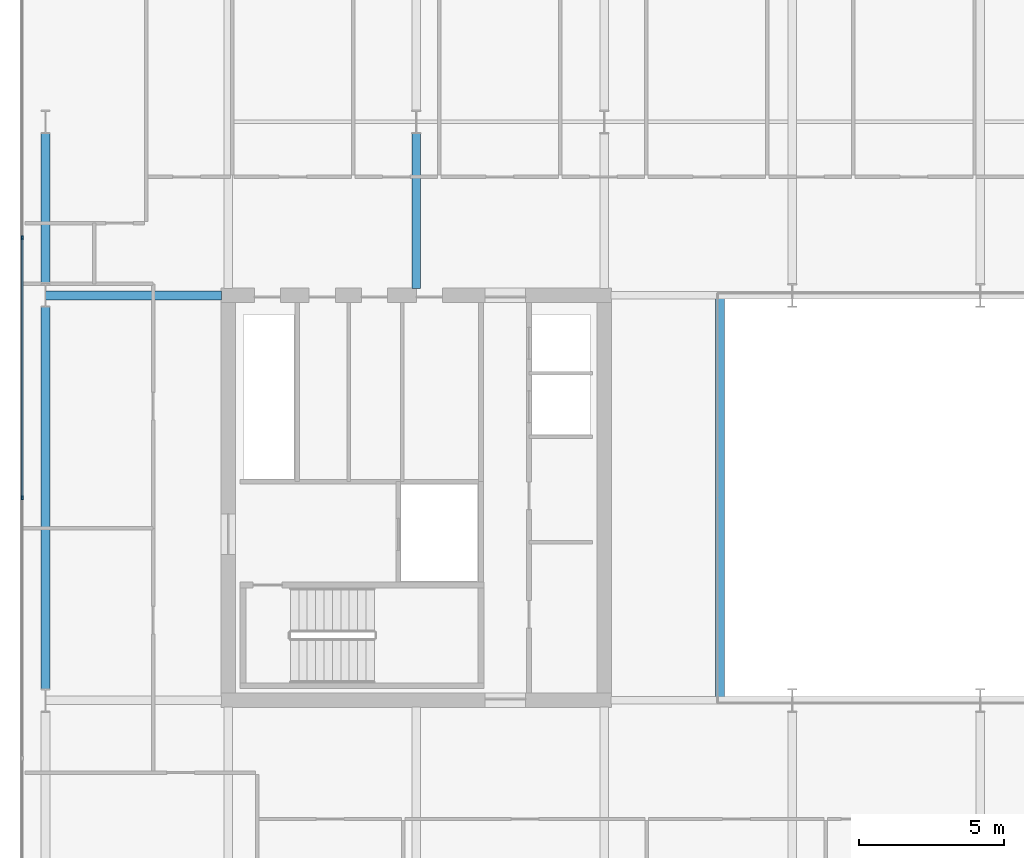
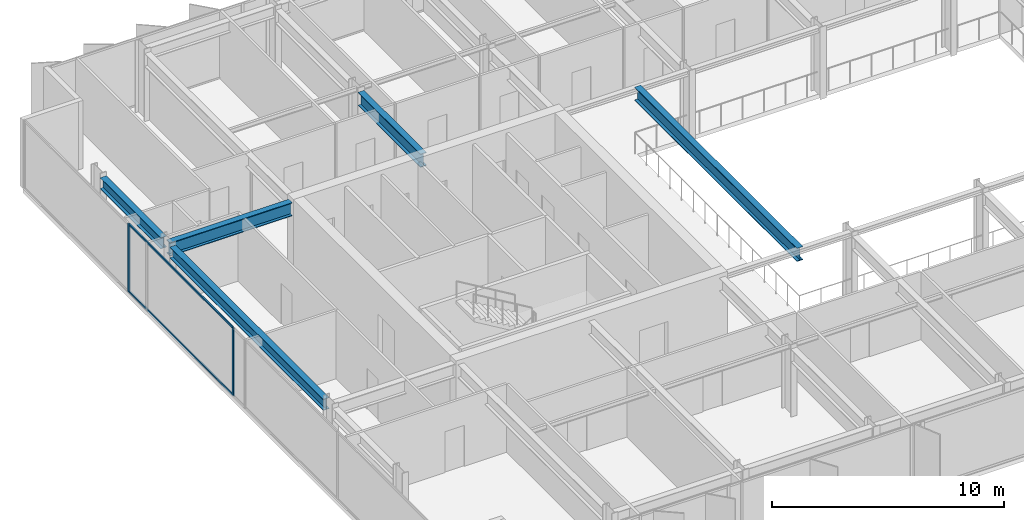
# One storey, part 5 of 24: 5 beams, 4 members, 1 element without a shape of its own.
"""IFC4 building model written with IfcOpenShell, lengths in metres."""

import ifcopenshell
import ifcopenshell.guid

model = None  # the IFC model being written
_history = None  # IfcOwnerHistory: only IFC2X3 demands one
_inside = {}  # id of a spatial element -> (the spatial element, [elements in it])
_under = {}  # id of a project, library or spatial element -> (it, [spatial elements below it])
_declared = {}  # id of a project -> (the project, [libraries it declares])
_typed = {}  # id of a type object -> (the type object, [elements of that type])
_made_of = {}  # id of a material, layer set ... -> (it, [elements and type objects made of it])


def new_model(schema):
    """Start an empty IFC model of exactly this schema.

    Asked for "IFC4X3", IfcOpenShell would pick the latest addendum, in which some entities
    have other attributes; the version numbers below select the first issue.
    IFC2X3 requires an IfcOwnerHistory on every rooted entity: one is made here for all.
    """
    global model, _history
    if schema == "IFC4X3":
        model = ifcopenshell.file(schema_version=(4, 3, 0, 0))
    else:
        model = ifcopenshell.file(schema=schema)
    _inside.clear()
    _under.clear()
    _declared.clear()
    _typed.clear()
    _made_of.clear()
    _history = None
    if model.schema == "IFC2X3":
        org = make("IfcOrganization", Name="unknown")
        user = make(
            "IfcPersonAndOrganization",
            ThePerson=make("IfcPerson", FamilyName="unknown"),
            TheOrganization=org,
        )
        app = make(
            "IfcApplication",
            ApplicationDeveloper=org,
            Version="unknown",
            ApplicationFullName="unknown",
            ApplicationIdentifier="unknown",
        )
        _history = make(
            "IfcOwnerHistory",
            OwningUser=user,
            OwningApplication=app,
            ChangeAction="ADDED",
            CreationDate=0,
        )
    return model


def make(cls, **values):
    """One entity of the class cls with the attributes given. An attribute that is None is left unset."""
    return model.create_entity(
        cls, **{name: value for name, value in values.items() if value is not None}
    )


def rooted(cls, **values):
    """An entity with a GlobalId (a new one), such as an element, a storey or a relation."""
    return make(cls, GlobalId=ifcopenshell.guid.new(), OwnerHistory=_history, **values)


def si_unit(unit_type, name, prefix=None):
    """IfcSIUnit, for example si_unit("LENGTHUNIT", "METRE", prefix="MILLI")."""
    return make("IfcSIUnit", UnitType=unit_type, Prefix=prefix, Name=name)


def assignment(units):
    """IfcUnitAssignment: the units of a project."""
    return None if units is None else make("IfcUnitAssignment", Units=units)


def point(xyz):
    """IfcCartesianPoint."""
    return None if xyz is None else make("IfcCartesianPoint", Coordinates=xyz)


def direction(xyz):
    """IfcDirection."""
    return None if xyz is None else make("IfcDirection", DirectionRatios=xyz)


def frame(location, z_axis=None, x_axis=None):
    """IfcAxis2Placement3D, a coordinate frame: its origin and axes. An axis left out is left unset."""
    return make(
        "IfcAxis2Placement3D",
        Location=point(location),
        Axis=direction(z_axis),
        RefDirection=direction(x_axis),
    )


def frame_2d(location, x_axis=None):
    """IfcAxis2Placement2D, a coordinate frame in the plane: its origin and x axis."""
    return make(
        "IfcAxis2Placement2D", Location=point(location), RefDirection=direction(x_axis)
    )


def origin():
    """The frame at (0, 0, 0) with its axes left unset."""
    return frame((0.0, 0.0, 0.0))


def origin_2d():
    """The frame at (0, 0) in the plane with its x axis left unset."""
    return frame_2d((0.0, 0.0))


def place(relative_to, where):
    """IfcLocalPlacement: puts the frame where relative to a parent placement (None: the world)."""
    return make(
        "IfcLocalPlacement", PlacementRelTo=relative_to, RelativePlacement=where
    )


def context(
    kind, dimensions, precision=None, world=None, true_north=None, identifier=None
):
    """IfcGeometricRepresentationContext, for example the 3D "Model" context."""
    return make(
        "IfcGeometricRepresentationContext",
        ContextIdentifier=identifier,
        ContextType=kind,
        CoordinateSpaceDimension=dimensions,
        Precision=precision,
        WorldCoordinateSystem=world,
        TrueNorth=true_north,
    )


def subcontext(parent, identifier, kind, view, scale=None):
    """IfcGeometricRepresentationSubContext, for example "Body" below "Model"."""
    return make(
        "IfcGeometricRepresentationSubContext",
        ContextIdentifier=identifier,
        ContextType=kind,
        ParentContext=parent,
        TargetScale=scale,
        TargetView=view,
    )


def project(units=None, contexts=None):
    """IfcProject with its units and contexts."""
    return rooted(
        "IfcProject",
        Name="project",
        RepresentationContexts=contexts,
        UnitsInContext=assignment(units),
    )


def spatial(cls, under=None, at=None, **own):
    """A site, building, storey or space (cls), placed at a placement, below another one or the project."""
    s = rooted(cls, ObjectPlacement=at, **own)
    if under is not None:
        _under.setdefault(under.id(), (under, []))[1].append(s)
    return s


def profile(cls, at=None, kind="AREA", **sizes):
    """A parametric profile (cls). Its sizes go by their IFC names, for example OverallWidth=200.0."""
    return make(cls, ProfileType=kind, Position=at, **sizes)


def rectangle(**sizes):
    """IfcRectangleProfileDef."""
    return profile("IfcRectangleProfileDef", **sizes)


def i_section(**sizes):
    """IfcIShapeProfileDef."""
    return profile("IfcIShapeProfileDef", **sizes)


def extrude(swept, where, along, depth):
    """IfcExtrudedAreaSolid: the profile swept, set in the frame where, extruded along a direction by depth."""
    return make(
        "IfcExtrudedAreaSolid",
        SweptArea=swept,
        Position=where,
        ExtrudedDirection=direction(along),
        Depth=depth,
    )


def shape(context_of_items, identifier, shape_type, items):
    """IfcShapeRepresentation: the items that make up one representation, for example the "Body"."""
    return make(
        "IfcShapeRepresentation",
        ContextOfItems=context_of_items,
        RepresentationIdentifier=identifier,
        RepresentationType=shape_type,
        Items=items,
    )


def material(Name=None, Category=None):
    """IfcMaterial."""
    return make("IfcMaterial", Name=Name, Category=Category)


def layer(
    of_material, thickness, ventilated=None, Name=None, Category=None, Priority=None
):
    """IfcMaterialLayer: one layer of a wall or slab, of a material (None: an air gap)."""
    return make(
        "IfcMaterialLayer",
        Material=of_material,
        LayerThickness=thickness,
        IsVentilated=ventilated,
        Name=Name,
        Category=Category,
        Priority=Priority,
    )


def layer_set(layers, Name=None):
    """IfcMaterialLayerSet."""
    return make("IfcMaterialLayerSet", MaterialLayers=layers, LayerSetName=Name)


def material_profile(
    of_material, cross_section, Name=None, Category=None, Priority=None
):
    """IfcMaterialProfile: a cross section and its material."""
    return make(
        "IfcMaterialProfile",
        Name=Name,
        Material=of_material,
        Profile=cross_section,
        Priority=Priority,
        Category=Category,
    )


def profile_set(profiles, Name=None, composite=None):
    """IfcMaterialProfileSet."""
    return make(
        "IfcMaterialProfileSet",
        Name=Name,
        MaterialProfiles=profiles,
        CompositeProfile=composite,
    )


def made_of(thing, what):
    """Note that an element or type object is made of a material, layer set ...; save() writes the relation."""
    if what is not None:
        _made_of.setdefault(what.id(), (what, []))[1].append(thing)
    return thing


def type_object(cls, material=None, **own):
    """A type object (cls), such as IfcWallType, which elements share."""
    return made_of(rooted(cls, **own), material)


def element(
    cls,
    number,
    at=None,
    inside=None,
    cuts=None,
    type_object=None,
    material=None,
    context=None,
    identifier="Body",
    shape_type=None,
    held_by="IfcProductDefinitionShape",
    body=None,
    shapes=None,
    **own,
):
    """One element of the class cls, such as IfcWall. Its Tag is "e" and its number.

    at: its placement. inside: the storey or other place that contains it. cuts: it is an
    opening in that element (IfcRelVoidsElement). A single representation is given by context,
    identifier, shape_type and body (its items); several are given by shapes. held_by: the class
    of the entity that holds the representations. save() writes the other relations.
    """
    e = rooted(cls, Tag="e%d" % number, ObjectPlacement=at, **own)
    if body is not None:
        shapes = [shape(context, identifier, shape_type, body)]
    if shapes is not None:
        e.Representation = make(held_by, Representations=shapes)
    if inside is not None:
        _inside.setdefault(inside.id(), (inside, []))[1].append(e)
    if cuts is not None:
        rooted(
            "IfcRelVoidsElement", RelatingBuildingElement=cuts, RelatedOpeningElement=e
        )
    if type_object is not None:
        _typed.setdefault(type_object.id(), (type_object, []))[1].append(e)
    return made_of(e, material)


def aggregate(whole, parts):
    """IfcRelAggregates: a whole, such as a stair, and the parts it consists of."""
    return rooted("IfcRelAggregates", RelatingObject=whole, RelatedObjects=parts)


def save(model, path):
    """Write the relations noted so far, then the file.

    IfcRelAggregates (storeys below a building ...), IfcRelContainedInSpatialStructure (elements
    in a storey), IfcRelDefinesByType, IfcRelAssociatesMaterial and IfcRelDeclares: one each for
    every whole, place, type object, material and project.
    """
    for whole, parts in _under.values():
        aggregate(whole, parts)
    for where, things in _inside.values():
        rooted(
            "IfcRelContainedInSpatialStructure",
            RelatedElements=things,
            RelatingStructure=where,
        )
    for kind, things in _typed.values():
        rooted("IfcRelDefinesByType", RelatedObjects=things, RelatingType=kind)
    for what, things in _made_of.values():
        rooted("IfcRelAssociatesMaterial", RelatedObjects=things, RelatingMaterial=what)
    for by, libraries in _declared.values():
        rooted("IfcRelDeclares", RelatingContext=by, RelatedDefinitions=libraries)
    model.write(path)


model = new_model("IFC4")

# Units and contexts
model_context = context("Model", 3, precision=1e-05, world=origin(), true_north=direction((0.0, 1.0)))
body_context = subcontext(model_context, "Body", "Model", "MODEL_VIEW")
ifc_project = project(units=[si_unit("LENGTHUNIT", "METRE"), si_unit("AREAUNIT", "SQUARE_METRE"), si_unit("VOLUMEUNIT", "CUBIC_METRE"), si_unit("PLANEANGLEUNIT", "RADIAN"), si_unit("MASSUNIT", "GRAM", prefix="KILO")], contexts=[model_context])

# Site, building, storey
site_placement = place(None, origin())
site = spatial("IfcSite", under=ifc_project, at=site_placement, CompositionType="ELEMENT")
building_placement = place(site_placement, origin())
building = spatial("IfcBuilding", under=site, at=building_placement, Name="Putna Gate Headquarters", CompositionType="ELEMENT")
storey_placement = place(building_placement, frame((0.0, 0.0, 248.0)))
storey = spatial("IfcBuildingStorey", under=building, at=storey_placement, Name="L62", CompositionType="ELEMENT", Elevation=248.0)

# Beams
ifc_material_1 = material(Name="Steel S355J2", Category="steel")
ifc_material_profile_1 = material_profile(ifc_material_1, i_section(OverallWidth=0.300048828125, OverallDepth=0.699951171875, WebThickness=0.01708984375, FlangeThickness=0.031982421875, at=origin_2d()), Name="Steel S355J2")
ifc_profile_set_1 = profile_set([ifc_material_profile_1], Name="Steel S355J2")
beam_type_1 = type_object("IfcBeamType", Name="BM-GIRD-B-HEB700", PredefinedType="USERDEFINED", material=ifc_profile_set_1)
beam_1_placement = place(storey_placement, frame((6.68603515625, 33.0, 3.22998046875), z_axis=(1.0, 0.0, 0.0), x_axis=(0.0, 1.0, 0.0)))
element("IfcBeam", 1, at=beam_1_placement, inside=storey, type_object=beam_type_1, Name="L62 West Wing Girder Y33", ObjectType="GIRDER", PredefinedType="USERDEFINED", context=body_context, shape_type="SweptSolid", body=[
    extrude(i_section(OverallWidth=0.300048828125, OverallDepth=0.699951171875, WebThickness=0.01708984375, FlangeThickness=0.031982421875, at=origin_2d()), origin(), (0.0, 0.0, 1.0), 6.078857421875),
])
beam_2_placement = place(storey_placement, frame((19.5, 33.235107421875, 3.22998046875), z_axis=(0.0, 1.0, 0.0), x_axis=(-1.0, 0.0, 0.0)))
element("IfcBeam", 2, at=beam_2_placement, inside=storey, type_object=beam_type_1, Name="L62 North Primary Girder X19-1", ObjectType="GIRDER", PredefinedType="USERDEFINED", context=body_context, shape_type="SweptSolid", body=[
    extrude(i_section(OverallWidth=0.300048828125, OverallDepth=0.699951171875, WebThickness=0.01708984375, FlangeThickness=0.031982421875, at=origin_2d()), origin(), (0.0, 0.0, 1.0), 5.369873046875),
])
beam_3_placement = place(storey_placement, frame((30.0, 19.010009765625, 3.22998046875), z_axis=(0.0, 1.0, 0.0), x_axis=(-1.0, 0.0, 0.0)))
element("IfcBeam", 3, at=beam_3_placement, inside=storey, type_object=beam_type_1, Name="L62 Atrium Trim Girder AW", ObjectType="GIRDER", PredefinedType="USERDEFINED", context=body_context, shape_type="SweptSolid", body=[
    extrude(i_section(OverallWidth=0.300048828125, OverallDepth=0.699951171875, WebThickness=0.01708984375, FlangeThickness=0.031982421875, at=origin_2d()), origin(), (0.0, 0.0, 1.0), 13.97998046875),
])
ifc_material_profile_2 = material_profile(ifc_material_1, i_section(OverallWidth=0.300048828125, OverallDepth=0.590087890625, WebThickness=0.012939453125, FlangeThickness=0.02490234375, at=origin_2d()), Name="Steel S355J2")
ifc_profile_set_2 = profile_set([ifc_material_profile_2], Name="Steel S355J2")
beam_type_2 = type_object("IfcBeamType", Name="BM-SPAN-Z4-HEA600", PredefinedType="SPANDREL", material=ifc_profile_set_2)
beam_4_placement = place(storey_placement, frame((6.679931640625, 19.39501953125, 3.284912109375), z_axis=(0.0, 1.0, 0.0), x_axis=(-1.0, 0.0, 0.0)))
element("IfcBeam", 4, at=beam_4_placement, inside=storey, type_object=beam_type_2, Name="L62 W End Spandrel 2", PredefinedType="SPANDREL", context=body_context, shape_type="SweptSolid", body=[
    extrude(i_section(OverallWidth=0.300048828125, OverallDepth=0.590087890625, WebThickness=0.012939453125, FlangeThickness=0.02490234375, at=origin_2d()), origin(), (0.0, 0.0, 1.0), 13.2099609375),
])
beam_5_placement = place(storey_placement, frame((6.679931640625, 33.39501953125, 3.284912109375), z_axis=(0.0, 1.0, 0.0), x_axis=(-1.0, 0.0, 0.0)))
element("IfcBeam", 5, at=beam_5_placement, inside=storey, type_object=beam_type_2, Name="L62 W End Spandrel 3", PredefinedType="SPANDREL", context=body_context, shape_type="SweptSolid", body=[
    extrude(i_section(OverallWidth=0.300048828125, OverallDepth=0.590087890625, WebThickness=0.012939453125, FlangeThickness=0.02490234375, at=origin_2d()), origin(), (0.0, 0.0, 1.0), 5.2099609375),
])

# Curtain wall, members
ifc_material_2 = material(Name="Anodised bronze aluminium curtain wall", Category="aluminium")
ifc_layer = layer(ifc_material_2, 0.139892578125)
ifc_layer_set = layer_set([ifc_layer], Name="Anodised bronze aluminium curtain wall")
curtain_wall_type = type_object("IfcCurtainWallType", Name="CW-SYS-Z4", PredefinedType="USERDEFINED", material=ifc_layer_set)
curtain_wall_placement = place(storey_placement, origin())
curtain_wall = element("IfcCurtainWall", 6, at=curtain_wall_placement, inside=storey, type_object=curtain_wall_type, Name="L62 West Curtain Wall", ObjectType="STICK CURTAIN WALL", PredefinedType="USERDEFINED")
ifc_material_3 = material(Name="Anodised bronze aluminium EN AW-6060", Category="aluminium")
ifc_material_profile_3 = material_profile(ifc_material_3, rectangle(XDim=0.06005859375, YDim=0.139892578125, at=origin_2d()), Name="Anodised bronze aluminium EN AW-6060")
ifc_profile_set_3 = profile_set([ifc_material_profile_3], Name="Anodised bronze aluminium EN AW-6060")
member_type_1 = type_object("IfcMemberType", Name="MULL-CWM-4", PredefinedType="MULLION", material=ifc_profile_set_3)
member_1_placement = place(storey_placement, frame((5.8798828125, 26.0, 0.0), z_axis=(0.0, 0.0, 1.0), x_axis=(-1.0, 0.0, 0.0)))
member_1 = element("IfcMember", 7, at=member_1_placement, type_object=member_type_1, Name="CWS-4 mullion 3", PredefinedType="MULLION", context=body_context, shape_type="SweptSolid", body=[
    extrude(rectangle(XDim=0.06005859375, YDim=0.139892578125, at=origin_2d()), origin(), (0.0, 0.0, 1.0), 3.580078125),
])
member_2_placement = place(storey_placement, frame((5.8798828125, 35.0, 0.0), z_axis=(0.0, 0.0, 1.0), x_axis=(-1.0, 0.0, 0.0)))
member_2 = element("IfcMember", 8, at=member_2_placement, type_object=member_type_1, Name="CWS-4 mullion 4", PredefinedType="MULLION", context=body_context, shape_type="SweptSolid", body=[
    extrude(rectangle(XDim=0.06005859375, YDim=0.139892578125, at=origin_2d()), origin(), (0.0, 0.0, 1.0), 3.580078125),
])
ifc_material_profile_4 = material_profile(ifc_material_3, rectangle(XDim=0.06005859375, YDim=0.10009765625, at=origin_2d()), Name="Anodised bronze aluminium EN AW-6060")
ifc_profile_set_4 = profile_set([ifc_material_profile_4], Name="Anodised bronze aluminium EN AW-6060")
member_type_2 = type_object("IfcMemberType", Name="TRAN-CWT-4", PredefinedType="USERDEFINED", material=ifc_profile_set_4)
member_3_placement = place(storey_placement, frame((5.8798828125, 26.030029296875, 0.030029296875), z_axis=(0.0, 1.0, 0.0), x_axis=(-1.0, 0.0, 0.0)))
member_3 = element("IfcMember", 9, at=member_3_placement, type_object=member_type_2, Name="CWS-4 transom 3.1", ObjectType="TRANSOM", PredefinedType="USERDEFINED", context=body_context, shape_type="SweptSolid", body=[
    extrude(rectangle(XDim=0.06005859375, YDim=0.10009765625, at=origin_2d()), origin(), (0.0, 0.0, 1.0), 8.93994140625),
])
member_4_placement = place(storey_placement, frame((5.8798828125, 26.030029296875, 3.550048828125), z_axis=(0.0, 1.0, 0.0), x_axis=(-1.0, 0.0, 0.0)))
member_4 = element("IfcMember", 10, at=member_4_placement, type_object=member_type_2, Name="CWS-4 transom 3.2", ObjectType="TRANSOM", PredefinedType="USERDEFINED", context=body_context, shape_type="SweptSolid", body=[
    extrude(rectangle(XDim=0.06005859375, YDim=0.10009765625, at=origin_2d()), origin(), (0.0, 0.0, 1.0), 8.93994140625),
])
aggregate(curtain_wall, [member_1, member_2, member_3, member_4])

save(model, "model.ifc")
